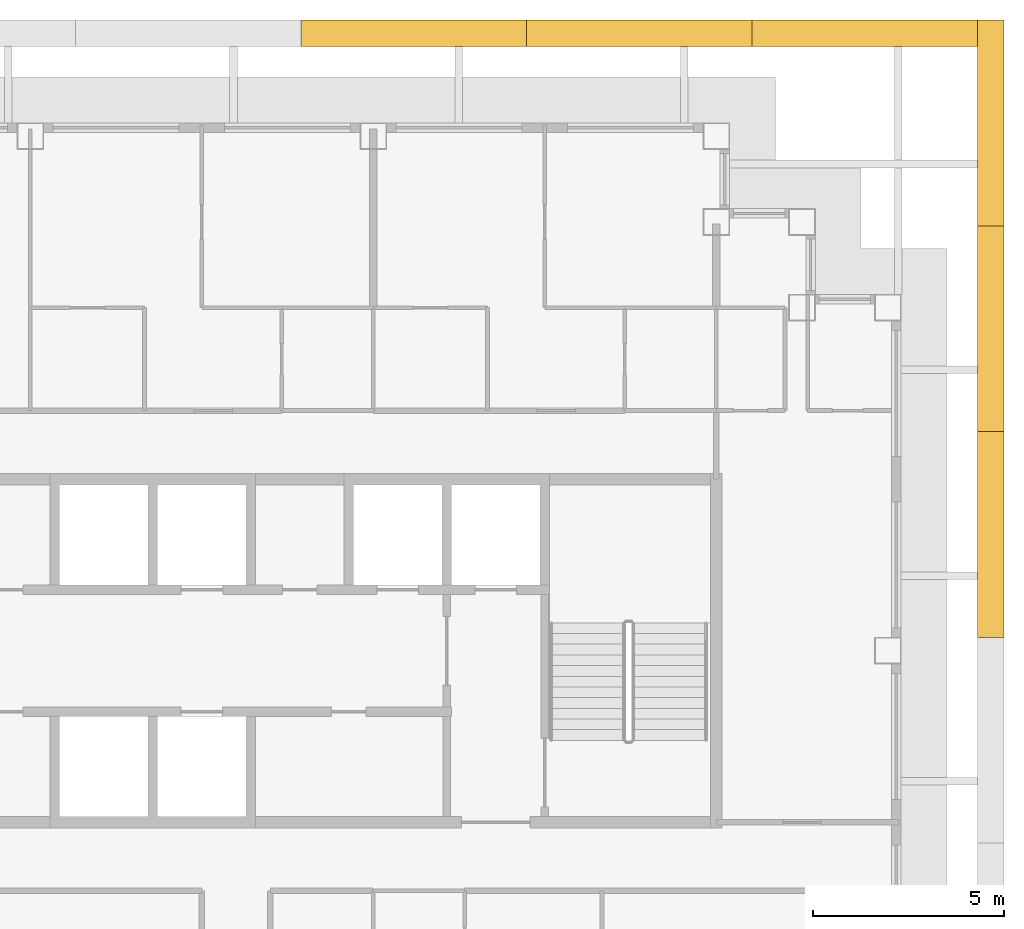
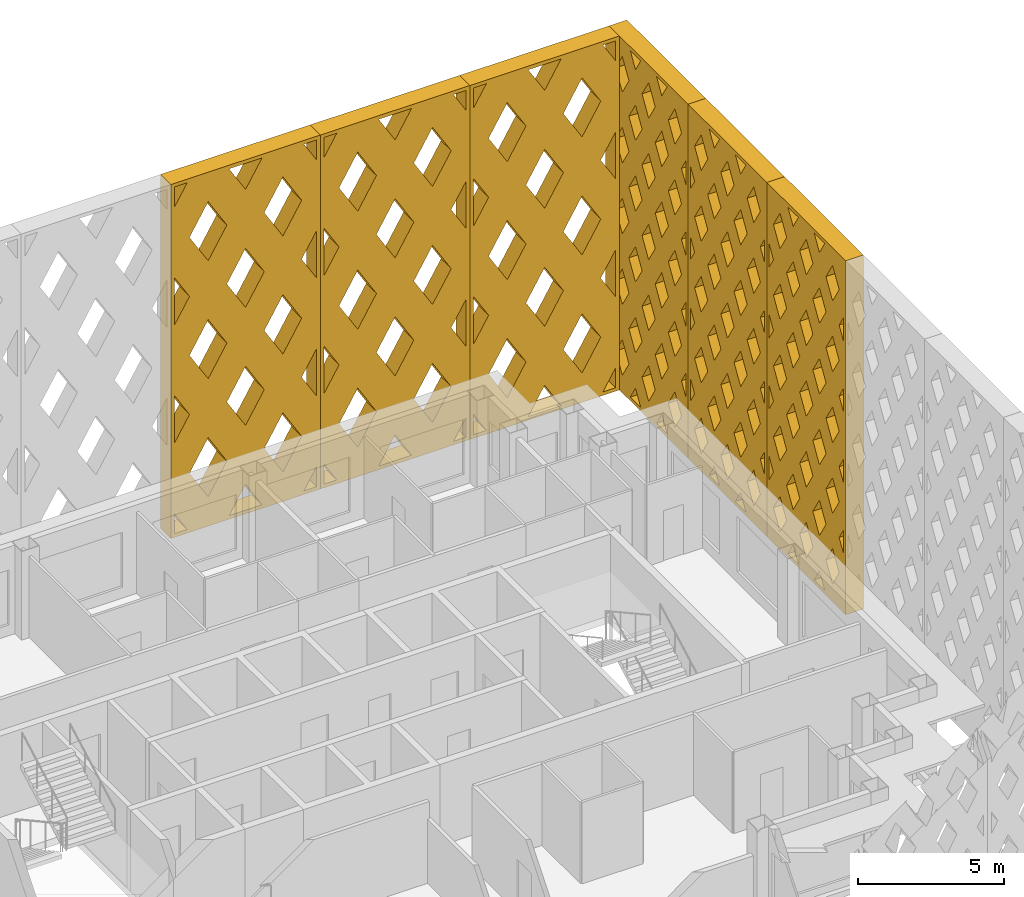
# One storey, part 17 of 17: 6 shading devices.
"""IFC4 building model written with IfcOpenShell, lengths in metres."""

from ifc_helpers import new_model, si_unit, direction, frame, origin, place, context, subcontext, project, spatial, polyline, outline, extrude, material, type_object, element, save


model = new_model("IFC4")

# Units and contexts
model_context = context("Model", 3, precision=1e-05, world=origin(), true_north=direction((0.0, 1.0)))
body_context = subcontext(model_context, "Body", "Model", "MODEL_VIEW")
ifc_project = project(units=[si_unit("LENGTHUNIT", "METRE"), si_unit("AREAUNIT", "SQUARE_METRE"), si_unit("VOLUMEUNIT", "CUBIC_METRE"), si_unit("PLANEANGLEUNIT", "RADIAN"), si_unit("MASSUNIT", "GRAM", prefix="KILO")], contexts=[model_context])

# Site, building, storey
site_placement = place(None, origin())
site = spatial("IfcSite", under=ifc_project, at=site_placement, CompositionType="ELEMENT")
building_placement = place(site_placement, origin())
building = spatial("IfcBuilding", under=site, at=building_placement, Name="Caravel Reach Hotel and Residences", CompositionType="ELEMENT")
storey_placement = place(building_placement, frame((0.0, 0.0, 192.39990234375)))
storey = spatial("IfcBuildingStorey", under=building, at=storey_placement, Name="L48", CompositionType="ELEMENT", Elevation=192.39990234375)

# Shading devices
ifc_material_1 = material(Name="Black powder-coated aluminium", Category="aluminium")
shading_device_type_1 = type_object("IfcShadingDeviceType", Name="Diamond lattice screen panel 5400 x 14800", PredefinedType="USERDEFINED", material=ifc_material_1)
shading_device_1_placement = place(storey_placement, frame((51.85009765625, 27.35009765625, 0.0), z_axis=(1.0, 0.0, 0.0), x_axis=(0.0, 1.0, 0.0)))
element("IfcShadingDevice", 1, at=shading_device_1_placement, inside=storey, type_object=shading_device_type_1, Name="Lattice screen L48-L51 3.4", ObjectType="SCREEN", PredefinedType="USERDEFINED", context=body_context, shape_type="SweptSolid", body=[
    extrude(outline(polyline([(0.0, 0.0), (5.39990234375, 0.0), (5.39990234375, 14.800048828125), (0.0, 14.800048828125), (0.0, 0.0)]), holes=[polyline([(0.452880859375, 2.9599609375), (0.14990234375, 3.4580078125), (0.14990234375, 2.4619140625), (0.452880859375, 2.9599609375)]), polyline([(0.452880859375, 5.919921875), (0.14990234375, 6.41796875), (0.14990234375, 5.421875), (0.452880859375, 5.919921875)]), polyline([(0.452880859375, 8.8798828125), (0.14990234375, 9.378173828125), (0.14990234375, 8.3818359375), (0.452880859375, 8.8798828125)]), polyline([(0.452880859375, 11.840087890625), (0.14990234375, 12.338134765625), (0.14990234375, 11.342041015625), (0.452880859375, 11.840087890625)]), polyline([(0.89990234375, 2.224853515625), (0.447021484375, 1.47998046875), (0.89990234375, 0.7353515625), (1.352783203125, 1.47998046875), (0.89990234375, 2.224853515625)]), polyline([(0.89990234375, 5.184814453125), (0.447021484375, 4.43994140625), (0.89990234375, 3.6953125), (1.352783203125, 4.43994140625), (0.89990234375, 5.184814453125)]), polyline([(0.89990234375, 8.144775390625), (0.447021484375, 7.39990234375), (0.89990234375, 6.6552734375), (1.352783203125, 7.39990234375), (0.89990234375, 8.144775390625)]), polyline([(0.89990234375, 11.104736328125), (0.447021484375, 10.360107421875), (0.89990234375, 9.615234375), (1.352783203125, 10.360107421875), (0.89990234375, 11.104736328125)]), polyline([(0.89990234375, 14.064697265625), (0.447021484375, 13.320068359375), (0.89990234375, 12.5751953125), (1.352783203125, 13.320068359375), (0.89990234375, 14.064697265625)]), polyline([(1.800048828125, 0.74462890625), (1.438232421875, 0.14990234375), (2.16162109375, 0.14990234375), (1.800048828125, 0.74462890625)]), polyline([(1.800048828125, 3.704833984375), (1.34716796875, 2.9599609375), (1.800048828125, 2.21533203125), (2.2529296875, 2.9599609375), (1.800048828125, 3.704833984375)]), polyline([(1.800048828125, 6.664794921875), (1.34716796875, 5.919921875), (1.800048828125, 5.17529296875), (2.2529296875, 5.919921875), (1.800048828125, 6.664794921875)]), polyline([(1.800048828125, 9.624755859375), (1.34716796875, 8.8798828125), (1.800048828125, 8.13525390625), (2.2529296875, 8.8798828125), (1.800048828125, 9.624755859375)]), polyline([(1.800048828125, 12.584716796875), (1.34716796875, 11.840087890625), (1.800048828125, 11.09521484375), (2.2529296875, 11.840087890625), (1.800048828125, 12.584716796875)]), polyline([(1.800048828125, 14.05517578125), (2.16162109375, 14.64990234375), (1.438232421875, 14.64990234375), (1.800048828125, 14.05517578125)]), polyline([(2.699951171875, 2.224853515625), (2.2470703125, 1.47998046875), (2.699951171875, 0.7353515625), (3.15283203125, 1.47998046875), (2.699951171875, 2.224853515625)]), polyline([(2.699951171875, 5.184814453125), (2.2470703125, 4.43994140625), (2.699951171875, 3.6953125), (3.15283203125, 4.43994140625), (2.699951171875, 5.184814453125)]), polyline([(2.699951171875, 8.144775390625), (2.2470703125, 7.39990234375), (2.699951171875, 6.6552734375), (3.15283203125, 7.39990234375), (2.699951171875, 8.144775390625)]), polyline([(2.699951171875, 11.104736328125), (2.2470703125, 10.360107421875), (2.699951171875, 9.615234375), (3.15283203125, 10.360107421875), (2.699951171875, 11.104736328125)]), polyline([(2.699951171875, 14.064697265625), (2.2470703125, 13.320068359375), (2.699951171875, 12.5751953125), (3.15283203125, 13.320068359375), (2.699951171875, 14.064697265625)]), polyline([(3.60009765625, 0.74462890625), (3.23828125, 0.14990234375), (3.961669921875, 0.14990234375), (3.60009765625, 0.74462890625)]), polyline([(3.60009765625, 3.704833984375), (3.147216796875, 2.9599609375), (3.60009765625, 2.21533203125), (4.052978515625, 2.9599609375), (3.60009765625, 3.704833984375)]), polyline([(3.60009765625, 6.664794921875), (3.147216796875, 5.919921875), (3.60009765625, 5.17529296875), (4.052978515625, 5.919921875), (3.60009765625, 6.664794921875)]), polyline([(3.60009765625, 9.624755859375), (3.147216796875, 8.8798828125), (3.60009765625, 8.13525390625), (4.052978515625, 8.8798828125), (3.60009765625, 9.624755859375)]), polyline([(3.60009765625, 12.584716796875), (3.147216796875, 11.840087890625), (3.60009765625, 11.09521484375), (4.052978515625, 11.840087890625), (3.60009765625, 12.584716796875)]), polyline([(3.60009765625, 14.05517578125), (3.961669921875, 14.64990234375), (3.23828125, 14.64990234375), (3.60009765625, 14.05517578125)]), polyline([(4.5, 2.224853515625), (4.047119140625, 1.47998046875), (4.5, 0.7353515625), (4.952880859375, 1.47998046875), (4.5, 2.224853515625)]), polyline([(4.5, 5.184814453125), (4.047119140625, 4.43994140625), (4.5, 3.6953125), (4.952880859375, 4.43994140625), (4.5, 5.184814453125)]), polyline([(4.5, 8.144775390625), (4.047119140625, 7.39990234375), (4.5, 6.6552734375), (4.952880859375, 7.39990234375), (4.5, 8.144775390625)]), polyline([(4.5, 11.104736328125), (4.047119140625, 10.360107421875), (4.5, 9.615234375), (4.952880859375, 10.360107421875), (4.5, 11.104736328125)]), polyline([(4.5, 14.064697265625), (4.047119140625, 13.320068359375), (4.5, 12.5751953125), (4.952880859375, 13.320068359375), (4.5, 14.064697265625)]), polyline([(4.947021484375, 2.9599609375), (5.25, 2.4619140625), (5.25, 3.4580078125), (4.947021484375, 2.9599609375)]), polyline([(4.947021484375, 5.919921875), (5.25, 5.421875), (5.25, 6.41796875), (4.947021484375, 5.919921875)]), polyline([(4.947021484375, 8.8798828125), (5.25, 8.3818359375), (5.25, 9.378173828125), (4.947021484375, 8.8798828125)]), polyline([(4.947021484375, 11.840087890625), (5.25, 11.342041015625), (5.25, 12.338134765625), (4.947021484375, 11.840087890625)])]), origin(), (0.0, 0.0, 1.0), 0.699951171875),
])
shading_device_2_placement = place(storey_placement, frame((51.85009765625, 32.75, 0.0), z_axis=(1.0, 0.0, 0.0), x_axis=(0.0, 1.0, 0.0)))
element("IfcShadingDevice", 2, at=shading_device_2_placement, inside=storey, type_object=shading_device_type_1, Name="Lattice screen L48-L51 3.5", ObjectType="SCREEN", PredefinedType="USERDEFINED", context=body_context, shape_type="SweptSolid", body=[
    extrude(outline(polyline([(0.0, 0.0), (5.39990234375, 0.0), (5.39990234375, 14.800048828125), (0.0, 14.800048828125), (0.0, 0.0)]), holes=[polyline([(0.452880859375, 2.9599609375), (0.14990234375, 3.4580078125), (0.14990234375, 2.4619140625), (0.452880859375, 2.9599609375)]), polyline([(0.452880859375, 5.919921875), (0.14990234375, 6.41796875), (0.14990234375, 5.421875), (0.452880859375, 5.919921875)]), polyline([(0.452880859375, 8.8798828125), (0.14990234375, 9.378173828125), (0.14990234375, 8.3818359375), (0.452880859375, 8.8798828125)]), polyline([(0.452880859375, 11.840087890625), (0.14990234375, 12.338134765625), (0.14990234375, 11.342041015625), (0.452880859375, 11.840087890625)]), polyline([(0.89990234375, 2.224853515625), (0.447021484375, 1.47998046875), (0.89990234375, 0.7353515625), (1.352783203125, 1.47998046875), (0.89990234375, 2.224853515625)]), polyline([(0.89990234375, 5.184814453125), (0.447021484375, 4.43994140625), (0.89990234375, 3.6953125), (1.352783203125, 4.43994140625), (0.89990234375, 5.184814453125)]), polyline([(0.89990234375, 8.144775390625), (0.447021484375, 7.39990234375), (0.89990234375, 6.6552734375), (1.352783203125, 7.39990234375), (0.89990234375, 8.144775390625)]), polyline([(0.89990234375, 11.104736328125), (0.447021484375, 10.360107421875), (0.89990234375, 9.615234375), (1.352783203125, 10.360107421875), (0.89990234375, 11.104736328125)]), polyline([(0.89990234375, 14.064697265625), (0.447021484375, 13.320068359375), (0.89990234375, 12.5751953125), (1.352783203125, 13.320068359375), (0.89990234375, 14.064697265625)]), polyline([(1.800048828125, 0.74462890625), (1.438232421875, 0.14990234375), (2.16162109375, 0.14990234375), (1.800048828125, 0.74462890625)]), polyline([(1.800048828125, 3.704833984375), (1.34716796875, 2.9599609375), (1.800048828125, 2.21533203125), (2.2529296875, 2.9599609375), (1.800048828125, 3.704833984375)]), polyline([(1.800048828125, 6.664794921875), (1.34716796875, 5.919921875), (1.800048828125, 5.17529296875), (2.2529296875, 5.919921875), (1.800048828125, 6.664794921875)]), polyline([(1.800048828125, 9.624755859375), (1.34716796875, 8.8798828125), (1.800048828125, 8.13525390625), (2.2529296875, 8.8798828125), (1.800048828125, 9.624755859375)]), polyline([(1.800048828125, 12.584716796875), (1.34716796875, 11.840087890625), (1.800048828125, 11.09521484375), (2.2529296875, 11.840087890625), (1.800048828125, 12.584716796875)]), polyline([(1.800048828125, 14.05517578125), (2.16162109375, 14.64990234375), (1.438232421875, 14.64990234375), (1.800048828125, 14.05517578125)]), polyline([(2.699951171875, 2.224853515625), (2.2470703125, 1.47998046875), (2.699951171875, 0.7353515625), (3.15283203125, 1.47998046875), (2.699951171875, 2.224853515625)]), polyline([(2.699951171875, 5.184814453125), (2.2470703125, 4.43994140625), (2.699951171875, 3.6953125), (3.15283203125, 4.43994140625), (2.699951171875, 5.184814453125)]), polyline([(2.699951171875, 8.144775390625), (2.2470703125, 7.39990234375), (2.699951171875, 6.6552734375), (3.15283203125, 7.39990234375), (2.699951171875, 8.144775390625)]), polyline([(2.699951171875, 11.104736328125), (2.2470703125, 10.360107421875), (2.699951171875, 9.615234375), (3.15283203125, 10.360107421875), (2.699951171875, 11.104736328125)]), polyline([(2.699951171875, 14.064697265625), (2.2470703125, 13.320068359375), (2.699951171875, 12.5751953125), (3.15283203125, 13.320068359375), (2.699951171875, 14.064697265625)]), polyline([(3.60009765625, 0.74462890625), (3.23828125, 0.14990234375), (3.961669921875, 0.14990234375), (3.60009765625, 0.74462890625)]), polyline([(3.60009765625, 3.704833984375), (3.147216796875, 2.9599609375), (3.60009765625, 2.21533203125), (4.052978515625, 2.9599609375), (3.60009765625, 3.704833984375)]), polyline([(3.60009765625, 6.664794921875), (3.147216796875, 5.919921875), (3.60009765625, 5.17529296875), (4.052978515625, 5.919921875), (3.60009765625, 6.664794921875)]), polyline([(3.60009765625, 9.624755859375), (3.147216796875, 8.8798828125), (3.60009765625, 8.13525390625), (4.052978515625, 8.8798828125), (3.60009765625, 9.624755859375)]), polyline([(3.60009765625, 12.584716796875), (3.147216796875, 11.840087890625), (3.60009765625, 11.09521484375), (4.052978515625, 11.840087890625), (3.60009765625, 12.584716796875)]), polyline([(3.60009765625, 14.05517578125), (3.961669921875, 14.64990234375), (3.23828125, 14.64990234375), (3.60009765625, 14.05517578125)]), polyline([(4.5, 2.224853515625), (4.047119140625, 1.47998046875), (4.5, 0.7353515625), (4.952880859375, 1.47998046875), (4.5, 2.224853515625)]), polyline([(4.5, 5.184814453125), (4.047119140625, 4.43994140625), (4.5, 3.6953125), (4.952880859375, 4.43994140625), (4.5, 5.184814453125)]), polyline([(4.5, 8.144775390625), (4.047119140625, 7.39990234375), (4.5, 6.6552734375), (4.952880859375, 7.39990234375), (4.5, 8.144775390625)]), polyline([(4.5, 11.104736328125), (4.047119140625, 10.360107421875), (4.5, 9.615234375), (4.952880859375, 10.360107421875), (4.5, 11.104736328125)]), polyline([(4.5, 14.064697265625), (4.047119140625, 13.320068359375), (4.5, 12.5751953125), (4.952880859375, 13.320068359375), (4.5, 14.064697265625)]), polyline([(4.947021484375, 2.9599609375), (5.25, 2.4619140625), (5.25, 3.4580078125), (4.947021484375, 2.9599609375)]), polyline([(4.947021484375, 5.919921875), (5.25, 5.421875), (5.25, 6.41796875), (4.947021484375, 5.919921875)]), polyline([(4.947021484375, 8.8798828125), (5.25, 8.3818359375), (5.25, 9.378173828125), (4.947021484375, 8.8798828125)]), polyline([(4.947021484375, 11.840087890625), (5.25, 11.342041015625), (5.25, 12.338134765625), (4.947021484375, 11.840087890625)])]), origin(), (0.0, 0.0, 1.0), 0.699951171875),
])
shading_device_3_placement = place(storey_placement, frame((51.85009765625, 38.14990234375, 0.0), z_axis=(1.0, 0.0, 0.0), x_axis=(0.0, 1.0, 0.0)))
element("IfcShadingDevice", 3, at=shading_device_3_placement, inside=storey, type_object=shading_device_type_1, Name="Lattice screen L48-L51 3.6", ObjectType="SCREEN", PredefinedType="USERDEFINED", context=body_context, shape_type="SweptSolid", body=[
    extrude(outline(polyline([(0.0, 0.0), (5.39990234375, 0.0), (5.39990234375, 14.800048828125), (0.0, 14.800048828125), (0.0, 0.0)]), holes=[polyline([(0.452880859375, 2.9599609375), (0.14990234375, 3.4580078125), (0.14990234375, 2.4619140625), (0.452880859375, 2.9599609375)]), polyline([(0.452880859375, 5.919921875), (0.14990234375, 6.41796875), (0.14990234375, 5.421875), (0.452880859375, 5.919921875)]), polyline([(0.452880859375, 8.8798828125), (0.14990234375, 9.378173828125), (0.14990234375, 8.3818359375), (0.452880859375, 8.8798828125)]), polyline([(0.452880859375, 11.840087890625), (0.14990234375, 12.338134765625), (0.14990234375, 11.342041015625), (0.452880859375, 11.840087890625)]), polyline([(0.89990234375, 2.224853515625), (0.447021484375, 1.47998046875), (0.89990234375, 0.7353515625), (1.352783203125, 1.47998046875), (0.89990234375, 2.224853515625)]), polyline([(0.89990234375, 5.184814453125), (0.447021484375, 4.43994140625), (0.89990234375, 3.6953125), (1.352783203125, 4.43994140625), (0.89990234375, 5.184814453125)]), polyline([(0.89990234375, 8.144775390625), (0.447021484375, 7.39990234375), (0.89990234375, 6.6552734375), (1.352783203125, 7.39990234375), (0.89990234375, 8.144775390625)]), polyline([(0.89990234375, 11.104736328125), (0.447021484375, 10.360107421875), (0.89990234375, 9.615234375), (1.352783203125, 10.360107421875), (0.89990234375, 11.104736328125)]), polyline([(0.89990234375, 14.064697265625), (0.447021484375, 13.320068359375), (0.89990234375, 12.5751953125), (1.352783203125, 13.320068359375), (0.89990234375, 14.064697265625)]), polyline([(1.800048828125, 0.74462890625), (1.438232421875, 0.14990234375), (2.16162109375, 0.14990234375), (1.800048828125, 0.74462890625)]), polyline([(1.800048828125, 3.704833984375), (1.34716796875, 2.9599609375), (1.800048828125, 2.21533203125), (2.2529296875, 2.9599609375), (1.800048828125, 3.704833984375)]), polyline([(1.800048828125, 6.664794921875), (1.34716796875, 5.919921875), (1.800048828125, 5.17529296875), (2.2529296875, 5.919921875), (1.800048828125, 6.664794921875)]), polyline([(1.800048828125, 9.624755859375), (1.34716796875, 8.8798828125), (1.800048828125, 8.13525390625), (2.2529296875, 8.8798828125), (1.800048828125, 9.624755859375)]), polyline([(1.800048828125, 12.584716796875), (1.34716796875, 11.840087890625), (1.800048828125, 11.09521484375), (2.2529296875, 11.840087890625), (1.800048828125, 12.584716796875)]), polyline([(1.800048828125, 14.05517578125), (2.16162109375, 14.64990234375), (1.438232421875, 14.64990234375), (1.800048828125, 14.05517578125)]), polyline([(2.699951171875, 2.224853515625), (2.2470703125, 1.47998046875), (2.699951171875, 0.7353515625), (3.15283203125, 1.47998046875), (2.699951171875, 2.224853515625)]), polyline([(2.699951171875, 5.184814453125), (2.2470703125, 4.43994140625), (2.699951171875, 3.6953125), (3.15283203125, 4.43994140625), (2.699951171875, 5.184814453125)]), polyline([(2.699951171875, 8.144775390625), (2.2470703125, 7.39990234375), (2.699951171875, 6.6552734375), (3.15283203125, 7.39990234375), (2.699951171875, 8.144775390625)]), polyline([(2.699951171875, 11.104736328125), (2.2470703125, 10.360107421875), (2.699951171875, 9.615234375), (3.15283203125, 10.360107421875), (2.699951171875, 11.104736328125)]), polyline([(2.699951171875, 14.064697265625), (2.2470703125, 13.320068359375), (2.699951171875, 12.5751953125), (3.15283203125, 13.320068359375), (2.699951171875, 14.064697265625)]), polyline([(3.60009765625, 0.74462890625), (3.23828125, 0.14990234375), (3.961669921875, 0.14990234375), (3.60009765625, 0.74462890625)]), polyline([(3.60009765625, 3.704833984375), (3.147216796875, 2.9599609375), (3.60009765625, 2.21533203125), (4.052978515625, 2.9599609375), (3.60009765625, 3.704833984375)]), polyline([(3.60009765625, 6.664794921875), (3.147216796875, 5.919921875), (3.60009765625, 5.17529296875), (4.052978515625, 5.919921875), (3.60009765625, 6.664794921875)]), polyline([(3.60009765625, 9.624755859375), (3.147216796875, 8.8798828125), (3.60009765625, 8.13525390625), (4.052978515625, 8.8798828125), (3.60009765625, 9.624755859375)]), polyline([(3.60009765625, 12.584716796875), (3.147216796875, 11.840087890625), (3.60009765625, 11.09521484375), (4.052978515625, 11.840087890625), (3.60009765625, 12.584716796875)]), polyline([(3.60009765625, 14.05517578125), (3.961669921875, 14.64990234375), (3.23828125, 14.64990234375), (3.60009765625, 14.05517578125)]), polyline([(4.5, 2.224853515625), (4.047119140625, 1.47998046875), (4.5, 0.7353515625), (4.952880859375, 1.47998046875), (4.5, 2.224853515625)]), polyline([(4.5, 5.184814453125), (4.047119140625, 4.43994140625), (4.5, 3.6953125), (4.952880859375, 4.43994140625), (4.5, 5.184814453125)]), polyline([(4.5, 8.144775390625), (4.047119140625, 7.39990234375), (4.5, 6.6552734375), (4.952880859375, 7.39990234375), (4.5, 8.144775390625)]), polyline([(4.5, 11.104736328125), (4.047119140625, 10.360107421875), (4.5, 9.615234375), (4.952880859375, 10.360107421875), (4.5, 11.104736328125)]), polyline([(4.5, 14.064697265625), (4.047119140625, 13.320068359375), (4.5, 12.5751953125), (4.952880859375, 13.320068359375), (4.5, 14.064697265625)]), polyline([(4.947021484375, 2.9599609375), (5.25, 2.4619140625), (5.25, 3.4580078125), (4.947021484375, 2.9599609375)]), polyline([(4.947021484375, 5.919921875), (5.25, 5.421875), (5.25, 6.41796875), (4.947021484375, 5.919921875)]), polyline([(4.947021484375, 8.8798828125), (5.25, 8.3818359375), (5.25, 9.378173828125), (4.947021484375, 8.8798828125)]), polyline([(4.947021484375, 11.840087890625), (5.25, 11.342041015625), (5.25, 12.338134765625), (4.947021484375, 11.840087890625)])]), origin(), (0.0, 0.0, 1.0), 0.699951171875),
])
ifc_material_2 = material(Name="Black powder-coated aluminium", Category="aluminium")
shading_device_type_2 = type_object("IfcShadingDeviceType", Name="Diamond lattice screen panel 5914 x 14800", PredefinedType="USERDEFINED", material=ifc_material_2)
shading_device_4_placement = place(storey_placement, frame((51.85009765625, 42.85009765625, 0.0), z_axis=(0.0, 1.0, 0.0), x_axis=(-1.0, 0.0, 0.0)))
element("IfcShadingDevice", 4, at=shading_device_4_placement, inside=storey, type_object=shading_device_type_2, Name="Lattice screen L48-L51 4.1", ObjectType="SCREEN", PredefinedType="USERDEFINED", context=body_context, shape_type="SweptSolid", body=[
    extrude(outline(polyline([(0.0, 0.0), (5.914306640625, 0.0), (5.914306640625, 14.800048828125), (0.0, 14.800048828125), (0.0, 0.0)]), holes=[polyline([(0.6513671875, 0.14990234375), (0.14990234375, 0.986572265625), (0.14990234375, 0.14990234375), (0.6513671875, 0.14990234375)]), polyline([(0.7412109375, 4.933349609375), (0.14990234375, 5.919921875), (0.14990234375, 3.94677734375), (0.7412109375, 4.933349609375)]), polyline([(0.7412109375, 9.86669921875), (0.14990234375, 10.853271484375), (0.14990234375, 8.880126953125), (0.7412109375, 9.86669921875)]), polyline([(0.14990234375, 13.8134765625), (0.6513671875, 14.64990234375), (0.14990234375, 14.64990234375), (0.14990234375, 13.8134765625)]), polyline([(1.478515625, 3.703369140625), (0.7373046875, 2.466552734375), (1.478515625, 1.22998046875), (2.219970703125, 2.466552734375), (1.478515625, 3.703369140625)]), polyline([(1.478515625, 8.63671875), (0.7373046875, 7.39990234375), (1.478515625, 6.163330078125), (2.219970703125, 7.39990234375), (1.478515625, 8.63671875)]), polyline([(1.478515625, 13.570068359375), (0.7373046875, 12.333251953125), (1.478515625, 11.0966796875), (2.219970703125, 12.333251953125), (1.478515625, 13.570068359375)]), polyline([(2.95703125, 1.23681640625), (2.3056640625, 0.14990234375), (3.608642578125, 0.14990234375), (2.95703125, 1.23681640625)]), polyline([(2.95703125, 6.170166015625), (2.2158203125, 4.933349609375), (2.95703125, 3.696533203125), (3.698486328125, 4.933349609375), (2.95703125, 6.170166015625)]), polyline([(2.95703125, 11.103515625), (2.2158203125, 9.86669921875), (2.95703125, 8.6298828125), (3.698486328125, 9.86669921875), (2.95703125, 11.103515625)]), polyline([(2.95703125, 13.563232421875), (3.608642578125, 14.64990234375), (2.3056640625, 14.64990234375), (2.95703125, 13.563232421875)]), polyline([(4.435791015625, 3.703369140625), (3.6943359375, 2.466552734375), (4.435791015625, 1.22998046875), (5.177001953125, 2.466552734375), (4.435791015625, 3.703369140625)]), polyline([(4.435791015625, 8.63671875), (3.6943359375, 7.39990234375), (4.435791015625, 6.163330078125), (5.177001953125, 7.39990234375), (4.435791015625, 8.63671875)]), polyline([(4.435791015625, 13.570068359375), (3.6943359375, 12.333251953125), (4.435791015625, 11.0966796875), (5.177001953125, 12.333251953125), (4.435791015625, 13.570068359375)]), polyline([(5.764404296875, 0.986572265625), (5.262939453125, 0.14990234375), (5.764404296875, 0.14990234375), (5.764404296875, 0.986572265625)]), polyline([(5.1728515625, 4.933349609375), (5.764404296875, 3.94677734375), (5.764404296875, 5.919921875), (5.1728515625, 4.933349609375)]), polyline([(5.1728515625, 9.86669921875), (5.764404296875, 8.880126953125), (5.764404296875, 10.853271484375), (5.1728515625, 9.86669921875)]), polyline([(5.262939453125, 14.64990234375), (5.764404296875, 13.8134765625), (5.764404296875, 14.64990234375), (5.262939453125, 14.64990234375)])]), origin(), (0.0, 0.0, 1.0), 0.699951171875),
])
shading_device_5_placement = place(storey_placement, frame((45.935791015625, 42.85009765625, 0.0), z_axis=(0.0, 1.0, 0.0), x_axis=(-1.0, 0.0, 0.0)))
element("IfcShadingDevice", 5, at=shading_device_5_placement, inside=storey, type_object=shading_device_type_2, Name="Lattice screen L48-L51 4.2", ObjectType="SCREEN", PredefinedType="USERDEFINED", context=body_context, shape_type="SweptSolid", body=[
    extrude(outline(polyline([(0.0, 0.0), (5.914306640625, 0.0), (5.914306640625, 14.800048828125), (0.0, 14.800048828125), (0.0, 0.0)]), holes=[polyline([(0.6513671875, 0.14990234375), (0.14990234375, 0.986572265625), (0.14990234375, 0.14990234375), (0.6513671875, 0.14990234375)]), polyline([(0.7412109375, 4.933349609375), (0.14990234375, 5.919921875), (0.14990234375, 3.94677734375), (0.7412109375, 4.933349609375)]), polyline([(0.7412109375, 9.86669921875), (0.14990234375, 10.853271484375), (0.14990234375, 8.880126953125), (0.7412109375, 9.86669921875)]), polyline([(0.14990234375, 13.8134765625), (0.6513671875, 14.64990234375), (0.14990234375, 14.64990234375), (0.14990234375, 13.8134765625)]), polyline([(1.478515625, 3.703369140625), (0.7373046875, 2.466552734375), (1.478515625, 1.22998046875), (2.219970703125, 2.466552734375), (1.478515625, 3.703369140625)]), polyline([(1.478515625, 8.63671875), (0.7373046875, 7.39990234375), (1.478515625, 6.163330078125), (2.219970703125, 7.39990234375), (1.478515625, 8.63671875)]), polyline([(1.478515625, 13.570068359375), (0.7373046875, 12.333251953125), (1.478515625, 11.0966796875), (2.219970703125, 12.333251953125), (1.478515625, 13.570068359375)]), polyline([(2.95703125, 1.23681640625), (2.3056640625, 0.14990234375), (3.608642578125, 0.14990234375), (2.95703125, 1.23681640625)]), polyline([(2.95703125, 6.170166015625), (2.2158203125, 4.933349609375), (2.95703125, 3.696533203125), (3.698486328125, 4.933349609375), (2.95703125, 6.170166015625)]), polyline([(2.95703125, 11.103515625), (2.2158203125, 9.86669921875), (2.95703125, 8.6298828125), (3.698486328125, 9.86669921875), (2.95703125, 11.103515625)]), polyline([(2.95703125, 13.563232421875), (3.608642578125, 14.64990234375), (2.3056640625, 14.64990234375), (2.95703125, 13.563232421875)]), polyline([(4.435791015625, 3.703369140625), (3.6943359375, 2.466552734375), (4.435791015625, 1.22998046875), (5.177001953125, 2.466552734375), (4.435791015625, 3.703369140625)]), polyline([(4.435791015625, 8.63671875), (3.6943359375, 7.39990234375), (4.435791015625, 6.163330078125), (5.177001953125, 7.39990234375), (4.435791015625, 8.63671875)]), polyline([(4.435791015625, 13.570068359375), (3.6943359375, 12.333251953125), (4.435791015625, 11.0966796875), (5.177001953125, 12.333251953125), (4.435791015625, 13.570068359375)]), polyline([(5.764404296875, 0.986572265625), (5.262939453125, 0.14990234375), (5.764404296875, 0.14990234375), (5.764404296875, 0.986572265625)]), polyline([(5.1728515625, 4.933349609375), (5.764404296875, 3.94677734375), (5.764404296875, 5.919921875), (5.1728515625, 4.933349609375)]), polyline([(5.1728515625, 9.86669921875), (5.764404296875, 8.880126953125), (5.764404296875, 10.853271484375), (5.1728515625, 9.86669921875)]), polyline([(5.262939453125, 14.64990234375), (5.764404296875, 13.8134765625), (5.764404296875, 14.64990234375), (5.262939453125, 14.64990234375)])]), origin(), (0.0, 0.0, 1.0), 0.699951171875),
])
shading_device_6_placement = place(storey_placement, frame((40.021484375, 42.85009765625, 0.0), z_axis=(0.0, 1.0, 0.0), x_axis=(-1.0, 0.0, 0.0)))
element("IfcShadingDevice", 6, at=shading_device_6_placement, inside=storey, type_object=shading_device_type_2, Name="Lattice screen L48-L51 4.3", ObjectType="SCREEN", PredefinedType="USERDEFINED", context=body_context, shape_type="SweptSolid", body=[
    extrude(outline(polyline([(0.0, 0.0), (5.914306640625, 0.0), (5.914306640625, 14.800048828125), (0.0, 14.800048828125), (0.0, 0.0)]), holes=[polyline([(0.6513671875, 0.14990234375), (0.14990234375, 0.986572265625), (0.14990234375, 0.14990234375), (0.6513671875, 0.14990234375)]), polyline([(0.7412109375, 4.933349609375), (0.14990234375, 5.919921875), (0.14990234375, 3.94677734375), (0.7412109375, 4.933349609375)]), polyline([(0.7412109375, 9.86669921875), (0.14990234375, 10.853271484375), (0.14990234375, 8.880126953125), (0.7412109375, 9.86669921875)]), polyline([(0.14990234375, 13.8134765625), (0.6513671875, 14.64990234375), (0.14990234375, 14.64990234375), (0.14990234375, 13.8134765625)]), polyline([(1.478515625, 3.703369140625), (0.7373046875, 2.466552734375), (1.478515625, 1.22998046875), (2.219970703125, 2.466552734375), (1.478515625, 3.703369140625)]), polyline([(1.478515625, 8.63671875), (0.7373046875, 7.39990234375), (1.478515625, 6.163330078125), (2.219970703125, 7.39990234375), (1.478515625, 8.63671875)]), polyline([(1.478515625, 13.570068359375), (0.7373046875, 12.333251953125), (1.478515625, 11.0966796875), (2.219970703125, 12.333251953125), (1.478515625, 13.570068359375)]), polyline([(2.95703125, 1.23681640625), (2.3056640625, 0.14990234375), (3.608642578125, 0.14990234375), (2.95703125, 1.23681640625)]), polyline([(2.95703125, 6.170166015625), (2.2158203125, 4.933349609375), (2.95703125, 3.696533203125), (3.698486328125, 4.933349609375), (2.95703125, 6.170166015625)]), polyline([(2.95703125, 11.103515625), (2.2158203125, 9.86669921875), (2.95703125, 8.6298828125), (3.698486328125, 9.86669921875), (2.95703125, 11.103515625)]), polyline([(2.95703125, 13.563232421875), (3.608642578125, 14.64990234375), (2.3056640625, 14.64990234375), (2.95703125, 13.563232421875)]), polyline([(4.435791015625, 3.703369140625), (3.6943359375, 2.466552734375), (4.435791015625, 1.22998046875), (5.177001953125, 2.466552734375), (4.435791015625, 3.703369140625)]), polyline([(4.435791015625, 8.63671875), (3.6943359375, 7.39990234375), (4.435791015625, 6.163330078125), (5.177001953125, 7.39990234375), (4.435791015625, 8.63671875)]), polyline([(4.435791015625, 13.570068359375), (3.6943359375, 12.333251953125), (4.435791015625, 11.0966796875), (5.177001953125, 12.333251953125), (4.435791015625, 13.570068359375)]), polyline([(5.764404296875, 0.986572265625), (5.262939453125, 0.14990234375), (5.764404296875, 0.14990234375), (5.764404296875, 0.986572265625)]), polyline([(5.1728515625, 4.933349609375), (5.764404296875, 3.94677734375), (5.764404296875, 5.919921875), (5.1728515625, 4.933349609375)]), polyline([(5.1728515625, 9.86669921875), (5.764404296875, 8.880126953125), (5.764404296875, 10.853271484375), (5.1728515625, 9.86669921875)]), polyline([(5.262939453125, 14.64990234375), (5.764404296875, 13.8134765625), (5.764404296875, 14.64990234375), (5.262939453125, 14.64990234375)])]), origin(), (0.0, 0.0, 1.0), 0.699951171875),
])

save(model, "model.ifc")
